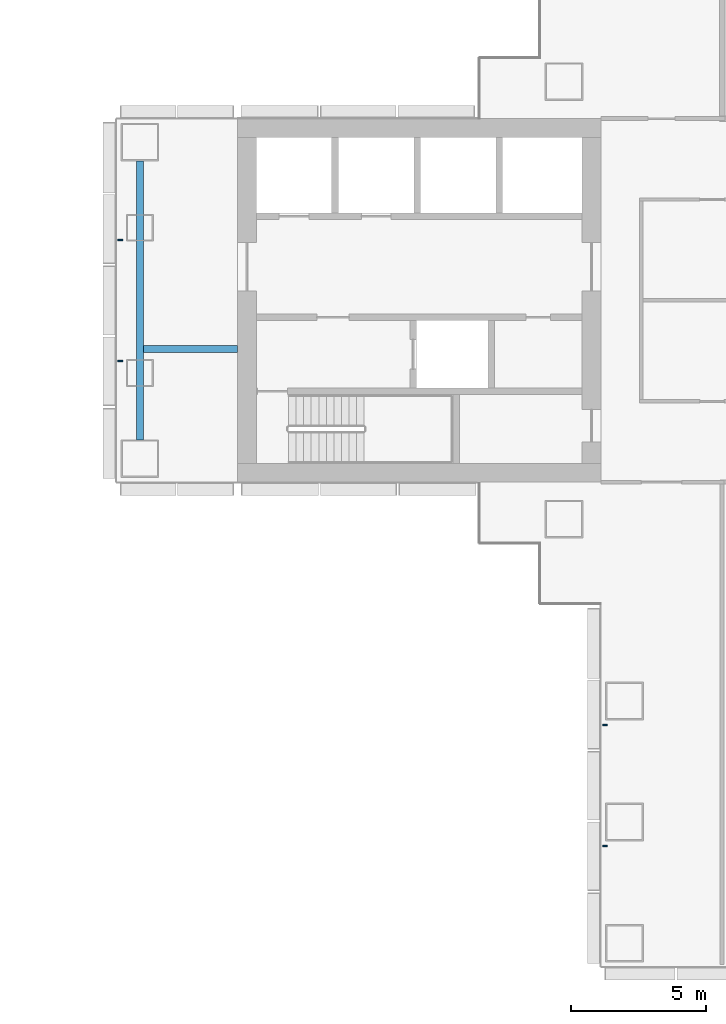
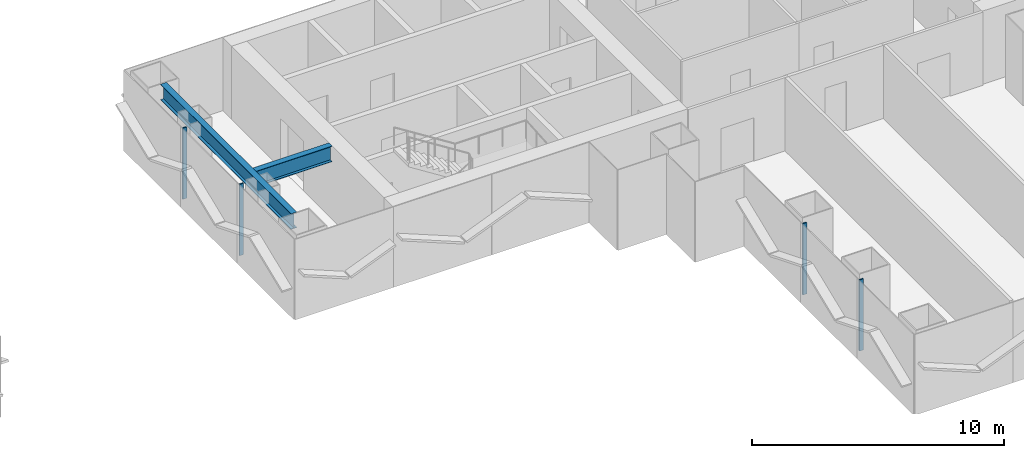
# One storey, part 7 of 21: 4 members, 2 beams, 2 elements without a shape of their own.
"""IFC4 building model written with IfcOpenShell, lengths in metres."""

from ifc_helpers import new_model, si_unit, direction, frame, origin, origin_2d, place, context, subcontext, project, spatial, rectangle, i_section, extrude, material, layer, layer_set, material_profile, profile_set, type_object, element, aggregate, save


model = new_model("IFC4")

# Units and contexts
model_context = context("Model", 3, precision=1e-05, world=origin(), true_north=direction((0.0, 1.0)))
body_context = subcontext(model_context, "Body", "Model", "MODEL_VIEW")
ifc_project = project(units=[si_unit("LENGTHUNIT", "METRE"), si_unit("AREAUNIT", "SQUARE_METRE"), si_unit("VOLUMEUNIT", "CUBIC_METRE"), si_unit("PLANEANGLEUNIT", "RADIAN"), si_unit("MASSUNIT", "GRAM", prefix="KILO")], contexts=[model_context])

# Site, building, storey
site_placement = place(None, origin())
site = spatial("IfcSite", under=ifc_project, at=site_placement, CompositionType="ELEMENT")
building_placement = place(site_placement, origin())
building = spatial("IfcBuilding", under=site, at=building_placement, Name="Shamsa Quay Exchange Towers", CompositionType="ELEMENT")
storey_placement = place(building_placement, frame((0.0, 0.0, 57.60009765625)))
storey = spatial("IfcBuildingStorey", under=building, at=storey_placement, Name="L12", CompositionType="ELEMENT", Elevation=57.60009765625)

# Curtain wall, members
ifc_material_1 = material(Name="Aluminium EN AW-6063 T6, black anodised", Category="aluminium")
ifc_layer = layer(ifc_material_1, 0.280029296875)
ifc_layer_set = layer_set([ifc_layer], Name="CW-1 UNITISED VISION GLASS")
curtain_wall_type = type_object("IfcCurtainWallType", Name="CW-1 UNITISED VISION GLASS", PredefinedType="NOTDEFINED", material=ifc_layer_set)
curtain_wall_1_placement = place(storey_placement, origin())
curtain_wall_1 = element("IfcCurtainWall", 1, at=curtain_wall_1_placement, inside=storey, type_object=curtain_wall_type, Name="CW1 T2-END-V+ L12", PredefinedType="NOTDEFINED")
ifc_material_profile_1 = material_profile(ifc_material_1, rectangle(XDim=0.179931640625, YDim=0.06005859375, at=origin_2d()), Name="MU60x180")
ifc_profile_set_1 = profile_set([ifc_material_profile_1], Name="Aluminium EN AW-6063 T6, black anodised")
member_type = type_object("IfcMemberType", Name="CW1 MULLION 60x180", PredefinedType="MULLION", material=ifc_profile_set_1)
member_1_placement = place(storey_placement, frame((9.14990234375, 2.25, 0.0)))
member_1 = element("IfcMember", 2, at=member_1_placement, type_object=member_type, Name="CW1 mullion", PredefinedType="MULLION", context=body_context, shape_type="SweptSolid", body=[
    extrude(rectangle(XDim=0.179931640625, YDim=0.06005859375, at=origin_2d()), origin(), (0.0, 0.0, 1.0), 3.449951171875),
])
member_2_placement = place(storey_placement, frame((9.14990234375, -2.25, 0.0)))
member_2 = element("IfcMember", 3, at=member_2_placement, type_object=member_type, Name="CW1 mullion", PredefinedType="MULLION", context=body_context, shape_type="SweptSolid", body=[
    extrude(rectangle(XDim=0.179931640625, YDim=0.06005859375, at=origin_2d()), origin(), (0.0, 0.0, 1.0), 3.449951171875),
])
aggregate(curtain_wall_1, [member_1, member_2])

curtain_wall_2_placement = place(storey_placement, origin())
curtain_wall_2 = element("IfcCurtainWall", 4, at=curtain_wall_2_placement, inside=storey, type_object=curtain_wall_type, Name="CW1 T2-FLK-U-N L12", PredefinedType="NOTDEFINED")
member_3_placement = place(storey_placement, frame((27.14990234375, -15.775390625, 0.0)))
member_3 = element("IfcMember", 5, at=member_3_placement, type_object=member_type, Name="CW1 mullion", PredefinedType="MULLION", context=body_context, shape_type="SweptSolid", body=[
    extrude(rectangle(XDim=0.179931640625, YDim=0.06005859375, at=origin_2d()), origin(), (0.0, 0.0, 1.0), 3.449951171875),
])
member_4_placement = place(storey_placement, frame((27.14990234375, -20.2626953125, 0.0)))
member_4 = element("IfcMember", 6, at=member_4_placement, type_object=member_type, Name="CW1 mullion", PredefinedType="MULLION", context=body_context, shape_type="SweptSolid", body=[
    extrude(rectangle(XDim=0.179931640625, YDim=0.06005859375, at=origin_2d()), origin(), (0.0, 0.0, 1.0), 3.449951171875),
])
aggregate(curtain_wall_2, [member_3, member_4])

# Beams
ifc_material_2 = material(Name="Steel S355", Category="steel")
ifc_material_profile_2 = material_profile(ifc_material_2, i_section(OverallWidth=0.26611328125, OverallDepth=0.7578125, WebThickness=0.013916015625, FlangeThickness=0.019287109375, at=origin_2d()), Name="W30x108")
ifc_profile_set_2 = profile_set([ifc_material_profile_2], Name="Steel S355")
beam_type = type_object("IfcBeamType", Name="End-zone beam W30x108", PredefinedType="BEAM", material=ifc_profile_set_2)
beam_1_placement = place(storey_placement, frame((9.875, -5.175048828125, 3.171142578125), z_axis=(0.0, 1.0, 0.0), x_axis=(-1.0, 0.0, 0.0)))
element("IfcBeam", 7, at=beam_1_placement, inside=storey, type_object=beam_type, Name="End beam T2 V+ end zone L12", PredefinedType="BEAM", context=body_context, shape_type="SweptSolid", body=[
    extrude(i_section(OverallWidth=0.26611328125, OverallDepth=0.7578125, WebThickness=0.013916015625, FlangeThickness=0.019287109375, at=origin_2d()), origin(), (0.0, 0.0, 1.0), 10.35009765625),
])
beam_2_placement = place(storey_placement, frame((13.5, -1.800048828125, 3.171142578125), z_axis=(-1.0, 0.0, 0.0), x_axis=(0.0, -1.0, 0.0)))
element("IfcBeam", 8, at=beam_2_placement, inside=storey, type_object=beam_type, Name="Spine beam T2 V+ end zone L12", PredefinedType="BEAM", context=body_context, shape_type="SweptSolid", body=[
    extrude(i_section(OverallWidth=0.26611328125, OverallDepth=0.7578125, WebThickness=0.013916015625, FlangeThickness=0.019287109375, at=origin_2d()), origin(), (0.0, 0.0, 1.0), 3.491943359375),
])

save(model, "model.ifc")
